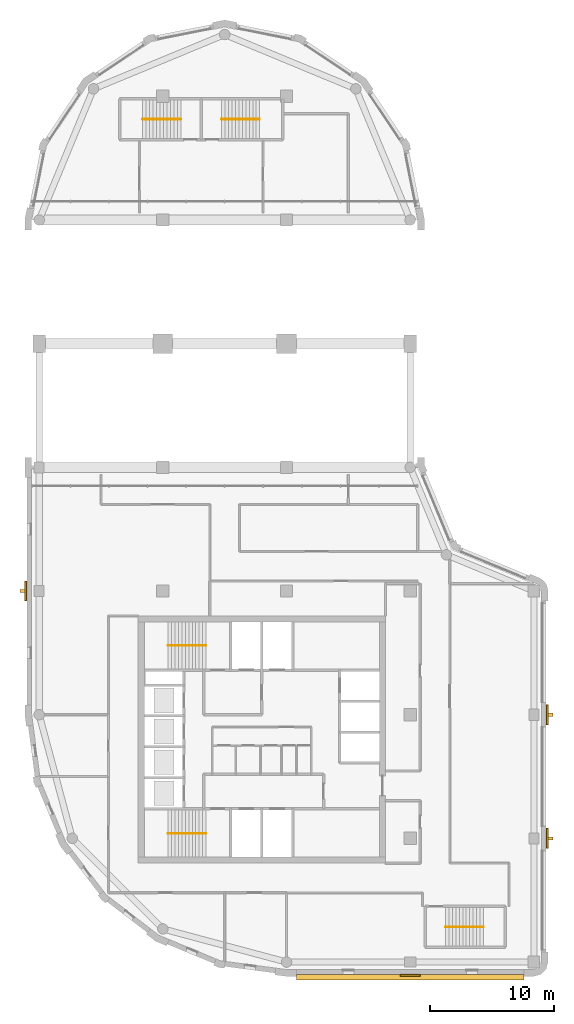
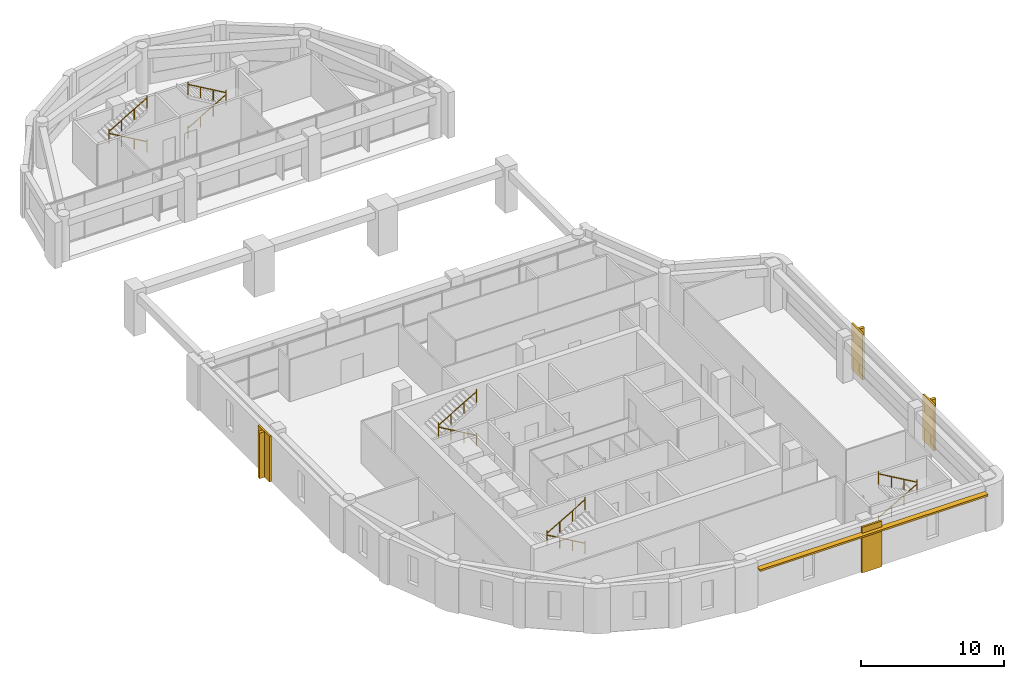
# One storey, part 10 of 11: 10 railings, 4 coverings, 4 shading devices.
"""IFC4 building model written with IfcOpenShell, lengths in metres."""

import ifcopenshell
import ifcopenshell.guid

model = None  # the IFC model being written
_history = None  # IfcOwnerHistory: only IFC2X3 demands one
_inside = {}  # id of a spatial element -> (the spatial element, [elements in it])
_under = {}  # id of a project, library or spatial element -> (it, [spatial elements below it])
_declared = {}  # id of a project -> (the project, [libraries it declares])
_typed = {}  # id of a type object -> (the type object, [elements of that type])
_made_of = {}  # id of a material, layer set ... -> (it, [elements and type objects made of it])


def new_model(schema):
    """Start an empty IFC model of exactly this schema.

    Asked for "IFC4X3", IfcOpenShell would pick the latest addendum, in which some entities
    have other attributes; the version numbers below select the first issue.
    IFC2X3 requires an IfcOwnerHistory on every rooted entity: one is made here for all.
    """
    global model, _history
    if schema == "IFC4X3":
        model = ifcopenshell.file(schema_version=(4, 3, 0, 0))
    else:
        model = ifcopenshell.file(schema=schema)
    _inside.clear()
    _under.clear()
    _declared.clear()
    _typed.clear()
    _made_of.clear()
    _history = None
    if model.schema == "IFC2X3":
        org = make("IfcOrganization", Name="unknown")
        user = make(
            "IfcPersonAndOrganization",
            ThePerson=make("IfcPerson", FamilyName="unknown"),
            TheOrganization=org,
        )
        app = make(
            "IfcApplication",
            ApplicationDeveloper=org,
            Version="unknown",
            ApplicationFullName="unknown",
            ApplicationIdentifier="unknown",
        )
        _history = make(
            "IfcOwnerHistory",
            OwningUser=user,
            OwningApplication=app,
            ChangeAction="ADDED",
            CreationDate=0,
        )
    return model


def make(cls, **values):
    """One entity of the class cls with the attributes given. An attribute that is None is left unset."""
    return model.create_entity(
        cls, **{name: value for name, value in values.items() if value is not None}
    )


def rooted(cls, **values):
    """An entity with a GlobalId (a new one), such as an element, a storey or a relation."""
    return make(cls, GlobalId=ifcopenshell.guid.new(), OwnerHistory=_history, **values)


def si_unit(unit_type, name, prefix=None):
    """IfcSIUnit, for example si_unit("LENGTHUNIT", "METRE", prefix="MILLI")."""
    return make("IfcSIUnit", UnitType=unit_type, Prefix=prefix, Name=name)


def assignment(units):
    """IfcUnitAssignment: the units of a project."""
    return None if units is None else make("IfcUnitAssignment", Units=units)


def point(xyz):
    """IfcCartesianPoint."""
    return None if xyz is None else make("IfcCartesianPoint", Coordinates=xyz)


def direction(xyz):
    """IfcDirection."""
    return None if xyz is None else make("IfcDirection", DirectionRatios=xyz)


def frame(location, z_axis=None, x_axis=None):
    """IfcAxis2Placement3D, a coordinate frame: its origin and axes. An axis left out is left unset."""
    return make(
        "IfcAxis2Placement3D",
        Location=point(location),
        Axis=direction(z_axis),
        RefDirection=direction(x_axis),
    )


def frame_2d(location, x_axis=None):
    """IfcAxis2Placement2D, a coordinate frame in the plane: its origin and x axis."""
    return make(
        "IfcAxis2Placement2D", Location=point(location), RefDirection=direction(x_axis)
    )


def origin():
    """The frame at (0, 0, 0) with its axes left unset."""
    return frame((0.0, 0.0, 0.0))


def origin_2d():
    """The frame at (0, 0) in the plane with its x axis left unset."""
    return frame_2d((0.0, 0.0))


def place(relative_to, where):
    """IfcLocalPlacement: puts the frame where relative to a parent placement (None: the world)."""
    return make(
        "IfcLocalPlacement", PlacementRelTo=relative_to, RelativePlacement=where
    )


def context(
    kind, dimensions, precision=None, world=None, true_north=None, identifier=None
):
    """IfcGeometricRepresentationContext, for example the 3D "Model" context."""
    return make(
        "IfcGeometricRepresentationContext",
        ContextIdentifier=identifier,
        ContextType=kind,
        CoordinateSpaceDimension=dimensions,
        Precision=precision,
        WorldCoordinateSystem=world,
        TrueNorth=true_north,
    )


def subcontext(parent, identifier, kind, view, scale=None):
    """IfcGeometricRepresentationSubContext, for example "Body" below "Model"."""
    return make(
        "IfcGeometricRepresentationSubContext",
        ContextIdentifier=identifier,
        ContextType=kind,
        ParentContext=parent,
        TargetScale=scale,
        TargetView=view,
    )


def project(units=None, contexts=None):
    """IfcProject with its units and contexts."""
    return rooted(
        "IfcProject",
        Name="project",
        RepresentationContexts=contexts,
        UnitsInContext=assignment(units),
    )


def spatial(cls, under=None, at=None, **own):
    """A site, building, storey or space (cls), placed at a placement, below another one or the project."""
    s = rooted(cls, ObjectPlacement=at, **own)
    if under is not None:
        _under.setdefault(under.id(), (under, []))[1].append(s)
    return s


def polyline(points):
    """IfcPolyline through the points."""
    return make("IfcPolyline", Points=[point(p) for p in points])


def profile(cls, at=None, kind="AREA", **sizes):
    """A parametric profile (cls). Its sizes go by their IFC names, for example OverallWidth=200.0."""
    return make(cls, ProfileType=kind, Position=at, **sizes)


def rectangle(**sizes):
    """IfcRectangleProfileDef."""
    return profile("IfcRectangleProfileDef", **sizes)


def circle(**sizes):
    """IfcCircleProfileDef."""
    return profile("IfcCircleProfileDef", **sizes)


def outline(outer, holes=None, kind="AREA"):
    """IfcArbitraryClosedProfileDef: a profile drawn as a closed curve; with holes, ...WithVoids."""
    if holes is None:
        return make("IfcArbitraryClosedProfileDef", ProfileType=kind, OuterCurve=outer)
    return make(
        "IfcArbitraryProfileDefWithVoids",
        ProfileType=kind,
        OuterCurve=outer,
        InnerCurves=holes,
    )


def extrude(swept, where, along, depth):
    """IfcExtrudedAreaSolid: the profile swept, set in the frame where, extruded along a direction by depth."""
    return make(
        "IfcExtrudedAreaSolid",
        SweptArea=swept,
        Position=where,
        ExtrudedDirection=direction(along),
        Depth=depth,
    )


def shape(context_of_items, identifier, shape_type, items):
    """IfcShapeRepresentation: the items that make up one representation, for example the "Body"."""
    return make(
        "IfcShapeRepresentation",
        ContextOfItems=context_of_items,
        RepresentationIdentifier=identifier,
        RepresentationType=shape_type,
        Items=items,
    )


def material(Name=None, Category=None):
    """IfcMaterial."""
    return make("IfcMaterial", Name=Name, Category=Category)


def layer(
    of_material, thickness, ventilated=None, Name=None, Category=None, Priority=None
):
    """IfcMaterialLayer: one layer of a wall or slab, of a material (None: an air gap)."""
    return make(
        "IfcMaterialLayer",
        Material=of_material,
        LayerThickness=thickness,
        IsVentilated=ventilated,
        Name=Name,
        Category=Category,
        Priority=Priority,
    )


def layer_set(layers, Name=None):
    """IfcMaterialLayerSet."""
    return make("IfcMaterialLayerSet", MaterialLayers=layers, LayerSetName=Name)


def made_of(thing, what):
    """Note that an element or type object is made of a material, layer set ...; save() writes the relation."""
    if what is not None:
        _made_of.setdefault(what.id(), (what, []))[1].append(thing)
    return thing


def type_object(cls, material=None, **own):
    """A type object (cls), such as IfcWallType, which elements share."""
    return made_of(rooted(cls, **own), material)


def element(
    cls,
    number,
    at=None,
    inside=None,
    cuts=None,
    type_object=None,
    material=None,
    context=None,
    identifier="Body",
    shape_type=None,
    held_by="IfcProductDefinitionShape",
    body=None,
    shapes=None,
    **own,
):
    """One element of the class cls, such as IfcWall. Its Tag is "e" and its number.

    at: its placement. inside: the storey or other place that contains it. cuts: it is an
    opening in that element (IfcRelVoidsElement). A single representation is given by context,
    identifier, shape_type and body (its items); several are given by shapes. held_by: the class
    of the entity that holds the representations. save() writes the other relations.
    """
    e = rooted(cls, Tag="e%d" % number, ObjectPlacement=at, **own)
    if body is not None:
        shapes = [shape(context, identifier, shape_type, body)]
    if shapes is not None:
        e.Representation = make(held_by, Representations=shapes)
    if inside is not None:
        _inside.setdefault(inside.id(), (inside, []))[1].append(e)
    if cuts is not None:
        rooted(
            "IfcRelVoidsElement", RelatingBuildingElement=cuts, RelatedOpeningElement=e
        )
    if type_object is not None:
        _typed.setdefault(type_object.id(), (type_object, []))[1].append(e)
    return made_of(e, material)


def aggregate(whole, parts):
    """IfcRelAggregates: a whole, such as a stair, and the parts it consists of."""
    return rooted("IfcRelAggregates", RelatingObject=whole, RelatedObjects=parts)


def save(model, path):
    """Write the relations noted so far, then the file.

    IfcRelAggregates (storeys below a building ...), IfcRelContainedInSpatialStructure (elements
    in a storey), IfcRelDefinesByType, IfcRelAssociatesMaterial and IfcRelDeclares: one each for
    every whole, place, type object, material and project.
    """
    for whole, parts in _under.values():
        aggregate(whole, parts)
    for where, things in _inside.values():
        rooted(
            "IfcRelContainedInSpatialStructure",
            RelatedElements=things,
            RelatingStructure=where,
        )
    for kind, things in _typed.values():
        rooted("IfcRelDefinesByType", RelatedObjects=things, RelatingType=kind)
    for what, things in _made_of.values():
        rooted("IfcRelAssociatesMaterial", RelatedObjects=things, RelatingMaterial=what)
    for by, libraries in _declared.values():
        rooted("IfcRelDeclares", RelatingContext=by, RelatedDefinitions=libraries)
    model.write(path)


model = new_model("IFC4")

# Units and contexts
model_context = context("Model", 3, precision=1e-05, world=origin(), true_north=direction((0.0, 1.0)))
body_context = subcontext(model_context, "Body", "Model", "MODEL_VIEW")
ifc_project = project(units=[si_unit("LENGTHUNIT", "METRE"), si_unit("AREAUNIT", "SQUARE_METRE"), si_unit("VOLUMEUNIT", "CUBIC_METRE"), si_unit("PLANEANGLEUNIT", "RADIAN"), si_unit("MASSUNIT", "GRAM", prefix="KILO")], contexts=[model_context])

# Site, building, storey
site_placement = place(None, origin())
site = spatial("IfcSite", under=ifc_project, at=site_placement, CompositionType="ELEMENT")
building_placement = place(site_placement, origin())
building = spatial("IfcBuilding", under=site, at=building_placement, Name="Qaws Garden Tower", CompositionType="ELEMENT")
storey_placement = place(building_placement, frame((0.0, 0.0, 321.60009765625)))
storey = spatial("IfcBuildingStorey", under=building, at=storey_placement, Name="L78", CompositionType="ELEMENT", Elevation=321.60009765625)

# Coverings
ifc_material_1 = material(Name="Clay facing brick masonry", Category="masonry")
ifc_layer_1 = layer(ifc_material_1, 0.14990234375)
ifc_layer_set_1 = layer_set([ifc_layer_1], Name="Clay facing brick masonry")
covering_type = type_object("IfcCoveringType", Name="Brick pilaster facing 150 x 1600", PredefinedType="CLADDING", material=ifc_layer_set_1)
placement = place(storey_placement, origin())
element("IfcCovering", 1, at=placement, inside=storey, type_object=covering_type, Name="E-L78-pier-01", PredefinedType="CLADDING", context=body_context, shape_type="SweptSolid", body=[
    extrude(outline(polyline([(29.199951171875, -1.0), (30.800048828125, -1.0), (30.800048828125, -1.14990234375), (29.199951171875, -1.14990234375), (29.199951171875, -1.0)])), origin(), (0.0, 0.0, 1.0), 3.89990234375),
])
element("IfcCovering", 2, at=placement, inside=storey, type_object=covering_type, Name="E-L78-pier-03", PredefinedType="CLADDING", context=body_context, shape_type="SweptSolid", body=[
    extrude(outline(polyline([(41.0, 9.199951171875), (41.0, 10.800048828125), (41.14990234375, 10.800048828125), (41.14990234375, 9.199951171875), (41.0, 9.199951171875)])), origin(), (0.0, 0.0, 1.0), 3.89990234375),
])
element("IfcCovering", 3, at=placement, inside=storey, type_object=covering_type, Name="E-L78-pier-04", PredefinedType="CLADDING", context=body_context, shape_type="SweptSolid", body=[
    extrude(outline(polyline([(41.0, 19.199951171875), (41.0, 20.800048828125), (41.14990234375, 20.800048828125), (41.14990234375, 19.199951171875), (41.0, 19.199951171875)])), origin(), (0.0, 0.0, 1.0), 3.89990234375),
])
element("IfcCovering", 4, at=placement, inside=storey, type_object=covering_type, Name="E-L78-pier-20", PredefinedType="CLADDING", context=body_context, shape_type="SweptSolid", body=[
    extrude(outline(polyline([(-1.0, 30.800048828125), (-1.0, 29.199951171875), (-1.14990234375, 29.199951171875), (-1.14990234375, 30.800048828125), (-1.0, 30.800048828125)])), origin(), (0.0, 0.0, 1.0), 3.89990234375),
])

# Shading devices
ifc_material_2 = material(Name="Clay facing brick masonry", Category="masonry")
ifc_layer_2 = layer(ifc_material_2, 0.14990234375)
ifc_layer_set_2 = layer_set([ifc_layer_2], Name="Clay facing brick masonry")
shading_device_type_1 = type_object("IfcShadingDeviceType", Name="Brick sunshade band 450 x 150", PredefinedType="JALOUSIE", material=ifc_layer_set_2)
shading_device_placement = place(storey_placement, frame((0.0, 0.0, 3.25)))
element("IfcShadingDevice", 5, at=shading_device_placement, inside=storey, type_object=shading_device_type_1, Name="SUNSHADE 00", PredefinedType="JALOUSIE", context=body_context, shape_type="SweptSolid", body=[
    extrude(outline(polyline([(20.800048828125, -1.0), (20.800048828125, -1.449951171875), (39.199951171875, -1.449951171875), (39.199951171875, -1.0), (30.800048828125, -1.0), (30.800048828125, -1.14990234375), (29.199951171875, -1.14990234375), (29.199951171875, -1.0), (20.800048828125, -1.0)])), origin(), (0.0, 0.0, 1.0), 0.14990234375),
])
ifc_material_3 = material(Name="Clay facing brick masonry", Category="masonry")
ifc_layer_3 = layer(ifc_material_3, 0.25)
ifc_layer_set_3 = layer_set([ifc_layer_3], Name="Clay facing brick masonry")
shading_device_type_2 = type_object("IfcShadingDeviceType", Name="Brick-faced fin 250 x 400", PredefinedType="USERDEFINED", material=ifc_layer_set_3)
for number, where, z_axis, x_axis, name in (
    (6, (41.35009765625, 10.0, 0.0), (0.0, 0.0, 1.0), (0.0, 1.0, 0.0), "FIN 03"),
    (7, (41.35009765625, 20.0, 0.0), (0.0, 0.0, 1.0), (0.0, 1.0, 0.0), "FIN 04"),
    (8, (-1.35009765625, 30.0, 0.0), (0.0, 0.0, 1.0), (0.0, -1.0, 0.0), "FIN 20"),
):
    element("IfcShadingDevice", number, at=place(storey_placement, frame(where, z_axis=z_axis, x_axis=x_axis)), inside=storey, type_object=shading_device_type_2, Name=name, ObjectType="FIN", PredefinedType="USERDEFINED", context=body_context, shape_type="SweptSolid", body=[
        extrude(rectangle(XDim=0.25, YDim=0.39990234375, at=origin_2d()), origin(), (0.0, 0.0, 1.0), 3.89990234375),
    ])

# Railings
ifc_material_4 = material(Name="Steel S355", Category="steel")
railing_type = type_object("IfcRailingType", Name="Stair handrail 900", PredefinedType="HANDRAIL", material=ifc_material_4)
railing_1_placement = place(storey_placement, frame((13.5, 10.39990234375, 0.162353515625)))
element("IfcRailing", 9, at=railing_1_placement, inside=storey, type_object=railing_type, Name="Stair 1 handrail", PredefinedType="HANDRAIL", context=body_context, shape_type="SweptSolid", body=[
    extrude(circle(Radius=0.02392578125, at=origin_2d()), frame((0.0, 0.0, 0.8759765625), z_axis=(-0.864890721111, 0.0, 0.501960198159), x_axis=(0.0, -1.0, 0.0)), (0.0, 0.0, 1.0), 3.561279296875),
    extrude(circle(Radius=0.02099609375, at=origin_2d()), origin(), (0.0, 0.0, 1.0), 1.06201171875),
    extrude(circle(Radius=0.02099609375, at=origin_2d()), frame((-1.026611328125, 0.0, 0.595947265625)), (0.0, 0.0, 1.0), 0.851806640625),
    extrude(circle(Radius=0.02099609375, at=origin_2d()), frame((-2.053466796875, 0.0, 1.191650390625)), (0.0, 0.0, 1.0), 0.851806640625),
    extrude(circle(Radius=0.02099609375, at=origin_2d()), frame((-3.080078125, 0.0, 1.78759765625)), (0.0, 0.0, 1.0), 1.06201171875),
])
railing_2_placement = place(storey_placement, frame((10.419921875, 10.39990234375, 2.1123046875)))
element("IfcRailing", 10, at=railing_2_placement, inside=storey, type_object=railing_type, Name="Stair 1 handrail", PredefinedType="HANDRAIL", context=body_context, shape_type="SweptSolid", body=[
    extrude(circle(Radius=0.02392578125, at=origin_2d()), frame((0.0, 0.0, 0.8759765625), z_axis=(0.864890721111, 0.0, 0.501960198159), x_axis=(0.0, 1.0, 0.0)), (0.0, 0.0, 1.0), 3.561279296875),
    extrude(circle(Radius=0.02099609375, at=origin_2d()), origin(), (0.0, 0.0, 1.0), 1.06201171875),
    extrude(circle(Radius=0.02099609375, at=origin_2d()), frame((1.026611328125, 0.0, 0.595947265625)), (0.0, 0.0, 1.0), 0.851806640625),
    extrude(circle(Radius=0.02099609375, at=origin_2d()), frame((2.053466796875, 0.0, 1.191650390625)), (0.0, 0.0, 1.0), 0.851806640625),
    extrude(circle(Radius=0.02099609375, at=origin_2d()), frame((3.080078125, 0.0, 1.78759765625)), (0.0, 0.0, 1.0), 1.06201171875),
])
railing_3_placement = place(storey_placement, frame((13.5, 25.60009765625, 0.162353515625)))
element("IfcRailing", 11, at=railing_3_placement, inside=storey, type_object=railing_type, Name="Stair 4 handrail", PredefinedType="HANDRAIL", context=body_context, shape_type="SweptSolid", body=[
    extrude(circle(Radius=0.02392578125, at=origin_2d()), frame((0.0, 0.0, 0.8759765625), z_axis=(-0.864890721111, 0.0, 0.501960198159), x_axis=(0.0, -1.0, 0.0)), (0.0, 0.0, 1.0), 3.561279296875),
    extrude(circle(Radius=0.02099609375, at=origin_2d()), origin(), (0.0, 0.0, 1.0), 1.06201171875),
    extrude(circle(Radius=0.02099609375, at=origin_2d()), frame((-1.026611328125, 0.0, 0.595947265625)), (0.0, 0.0, 1.0), 0.851806640625),
    extrude(circle(Radius=0.02099609375, at=origin_2d()), frame((-2.053466796875, 0.0, 1.191650390625)), (0.0, 0.0, 1.0), 0.851806640625),
    extrude(circle(Radius=0.02099609375, at=origin_2d()), frame((-3.080078125, 0.0, 1.78759765625)), (0.0, 0.0, 1.0), 1.06201171875),
])
railing_4_placement = place(storey_placement, frame((10.419921875, 25.60009765625, 2.1123046875)))
element("IfcRailing", 12, at=railing_4_placement, inside=storey, type_object=railing_type, Name="Stair 4 handrail", PredefinedType="HANDRAIL", context=body_context, shape_type="SweptSolid", body=[
    extrude(circle(Radius=0.02392578125, at=origin_2d()), frame((0.0, 0.0, 0.8759765625), z_axis=(0.864890721111, 0.0, 0.501960198159), x_axis=(0.0, 1.0, 0.0)), (0.0, 0.0, 1.0), 3.561279296875),
    extrude(circle(Radius=0.02099609375, at=origin_2d()), origin(), (0.0, 0.0, 1.0), 1.06201171875),
    extrude(circle(Radius=0.02099609375, at=origin_2d()), frame((1.026611328125, 0.0, 0.595947265625)), (0.0, 0.0, 1.0), 0.851806640625),
    extrude(circle(Radius=0.02099609375, at=origin_2d()), frame((2.053466796875, 0.0, 1.191650390625)), (0.0, 0.0, 1.0), 0.851806640625),
    extrude(circle(Radius=0.02099609375, at=origin_2d()), frame((3.080078125, 0.0, 1.78759765625)), (0.0, 0.0, 1.0), 1.06201171875),
])
railing_5_placement = place(storey_placement, frame((32.85009765625, 2.85009765625, 0.162353515625)))
element("IfcRailing", 13, at=railing_5_placement, inside=storey, type_object=railing_type, Name="Stair 5 handrail", PredefinedType="HANDRAIL", context=body_context, shape_type="SweptSolid", body=[
    extrude(circle(Radius=0.02392578125, at=origin_2d()), frame((0.0, 0.0, 0.8759765625), z_axis=(0.864873446163, 0.0, 0.501989962173), x_axis=(0.0, 1.0, 0.0)), (0.0, 0.0, 1.0), 3.56103515625),
    extrude(circle(Radius=0.02099609375, at=origin_2d()), origin(), (0.0, 0.0, 1.0), 1.06201171875),
    extrude(circle(Radius=0.02099609375, at=origin_2d()), frame((1.026611328125, 0.0, 0.595947265625)), (0.0, 0.0, 1.0), 0.851806640625),
    extrude(circle(Radius=0.02099609375, at=origin_2d()), frame((2.05322265625, 0.0, 1.191650390625)), (0.0, 0.0, 1.0), 0.851806640625),
    extrude(circle(Radius=0.02099609375, at=origin_2d()), frame((3.079833984375, 0.0, 1.78759765625)), (0.0, 0.0, 1.0), 1.06201171875),
])
for number, where, name in (
    (14, (35.929931640625, 2.85009765625, 2.1123046875), "Stair 5 handrail"),
    (15, (11.449951171875, 68.14990234375, 0.162353515625), "Stair 6 handrail"),
):
    element("IfcRailing", number, at=place(storey_placement, frame(where)), inside=storey, type_object=railing_type, Name=name, PredefinedType="HANDRAIL", context=body_context, shape_type="SweptSolid", body=[
        extrude(circle(Radius=0.02392578125, at=origin_2d()), frame((0.0, 0.0, 0.8759765625), z_axis=(-0.864873446163, 0.0, 0.501989962173), x_axis=(0.0, -1.0, 0.0)), (0.0, 0.0, 1.0), 3.56103515625),
        extrude(circle(Radius=0.02099609375, at=origin_2d()), origin(), (0.0, 0.0, 1.0), 1.06201171875),
        extrude(circle(Radius=0.02099609375, at=origin_2d()), frame((-1.026611328125, 0.0, 0.595947265625)), (0.0, 0.0, 1.0), 0.851806640625),
        extrude(circle(Radius=0.02099609375, at=origin_2d()), frame((-2.05322265625, 0.0, 1.191650390625)), (0.0, 0.0, 1.0), 0.851806640625),
        extrude(circle(Radius=0.02099609375, at=origin_2d()), frame((-3.079833984375, 0.0, 1.78759765625)), (0.0, 0.0, 1.0), 1.06201171875),
    ])
railing_6_placement = place(storey_placement, frame((8.3701171875, 68.14990234375, 2.1123046875)))
element("IfcRailing", 16, at=railing_6_placement, inside=storey, type_object=railing_type, Name="Stair 6 handrail", PredefinedType="HANDRAIL", context=body_context, shape_type="SweptSolid", body=[
    extrude(circle(Radius=0.02392578125, at=origin_2d()), frame((0.0, 0.0, 0.8759765625), z_axis=(0.864873446163, 0.0, 0.501989962173), x_axis=(0.0, 1.0, 0.0)), (0.0, 0.0, 1.0), 3.56103515625),
    extrude(circle(Radius=0.02099609375, at=origin_2d()), origin(), (0.0, 0.0, 1.0), 1.06201171875),
    extrude(circle(Radius=0.02099609375, at=origin_2d()), frame((1.026611328125, 0.0, 0.595947265625)), (0.0, 0.0, 1.0), 0.851806640625),
    extrude(circle(Radius=0.02099609375, at=origin_2d()), frame((2.05322265625, 0.0, 1.191650390625)), (0.0, 0.0, 1.0), 0.851806640625),
    extrude(circle(Radius=0.02099609375, at=origin_2d()), frame((3.079833984375, 0.0, 1.78759765625)), (0.0, 0.0, 1.0), 1.06201171875),
])
railing_7_placement = place(storey_placement, frame((14.75, 68.14990234375, 0.162353515625)))
element("IfcRailing", 17, at=railing_7_placement, inside=storey, type_object=railing_type, Name="Stair 7 handrail", PredefinedType="HANDRAIL", context=body_context, shape_type="SweptSolid", body=[
    extrude(circle(Radius=0.02392578125, at=origin_2d()), frame((0.0, 0.0, 0.8759765625), z_axis=(0.864890721111, 0.0, 0.501960198159), x_axis=(0.0, 1.0, 0.0)), (0.0, 0.0, 1.0), 3.561279296875),
    extrude(circle(Radius=0.02099609375, at=origin_2d()), origin(), (0.0, 0.0, 1.0), 1.06201171875),
    extrude(circle(Radius=0.02099609375, at=origin_2d()), frame((1.026611328125, 0.0, 0.595947265625)), (0.0, 0.0, 1.0), 0.851806640625),
    extrude(circle(Radius=0.02099609375, at=origin_2d()), frame((2.053466796875, 0.0, 1.191650390625)), (0.0, 0.0, 1.0), 0.851806640625),
    extrude(circle(Radius=0.02099609375, at=origin_2d()), frame((3.080078125, 0.0, 1.78759765625)), (0.0, 0.0, 1.0), 1.06201171875),
])
railing_8_placement = place(storey_placement, frame((17.830078125, 68.14990234375, 2.1123046875)))
element("IfcRailing", 18, at=railing_8_placement, inside=storey, type_object=railing_type, Name="Stair 7 handrail", PredefinedType="HANDRAIL", context=body_context, shape_type="SweptSolid", body=[
    extrude(circle(Radius=0.02392578125, at=origin_2d()), frame((0.0, 0.0, 0.8759765625), z_axis=(-0.864890721111, 0.0, 0.501960198159), x_axis=(0.0, -1.0, 0.0)), (0.0, 0.0, 1.0), 3.561279296875),
    extrude(circle(Radius=0.02099609375, at=origin_2d()), origin(), (0.0, 0.0, 1.0), 1.06201171875),
    extrude(circle(Radius=0.02099609375, at=origin_2d()), frame((-1.026611328125, 0.0, 0.595947265625)), (0.0, 0.0, 1.0), 0.851806640625),
    extrude(circle(Radius=0.02099609375, at=origin_2d()), frame((-2.053466796875, 0.0, 1.191650390625)), (0.0, 0.0, 1.0), 0.851806640625),
    extrude(circle(Radius=0.02099609375, at=origin_2d()), frame((-3.080078125, 0.0, 1.78759765625)), (0.0, 0.0, 1.0), 1.06201171875),
])

save(model, "model.ifc")
